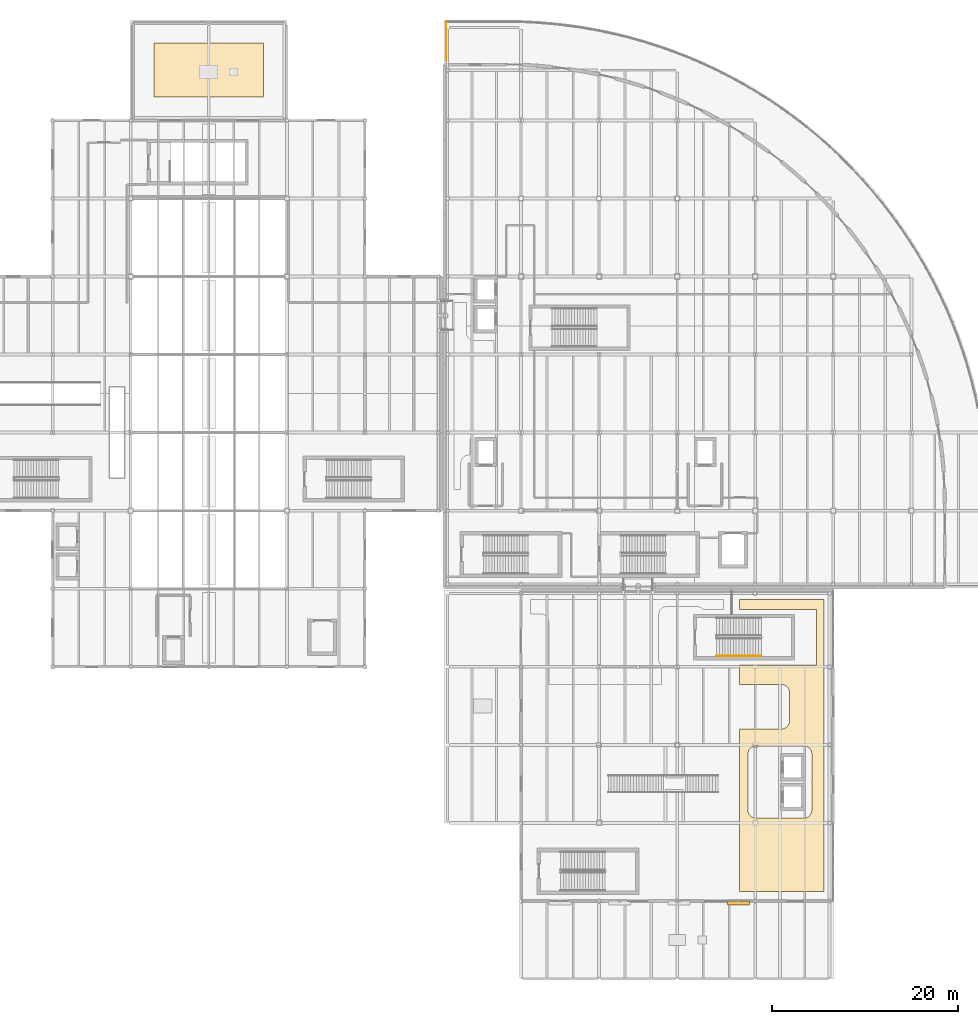
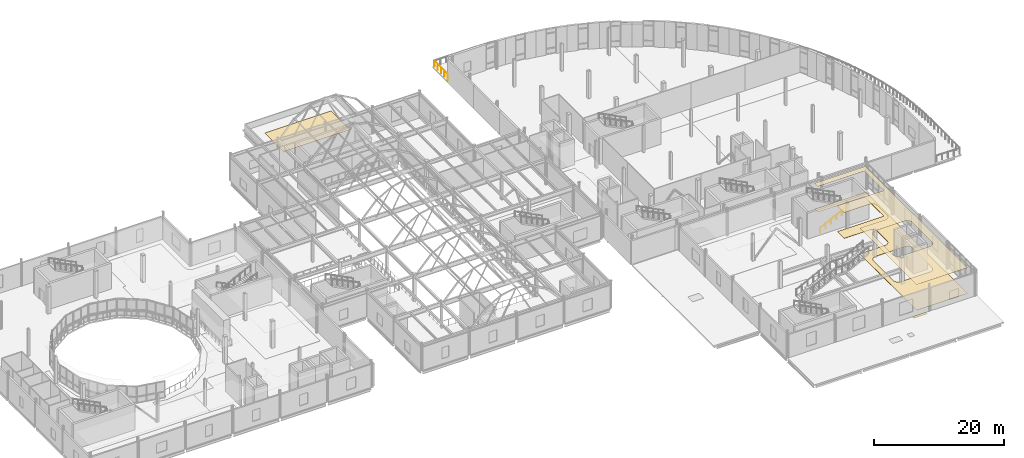
# One storey, part 99 of 103: 3 coverings, 2 railings, 1 shading device.
"""IFC4 building model written with IfcOpenShell, lengths in metres."""

from ifc_helpers import new_model, si_unit, direction, frame, origin, origin_2d, place, context, subcontext, project, spatial, polyline, rectangle, circle, outline, extrude, material, layer, layer_set, type_object, element, save


model = new_model("IFC4")

# Units and contexts
model_context = context("Model", 3, precision=1e-05, world=origin(), true_north=direction((0.0, 1.0)))
body_context = subcontext(model_context, "Body", "Model", "MODEL_VIEW")
ifc_project = project(units=[si_unit("LENGTHUNIT", "METRE"), si_unit("AREAUNIT", "SQUARE_METRE"), si_unit("VOLUMEUNIT", "CUBIC_METRE"), si_unit("PLANEANGLEUNIT", "RADIAN"), si_unit("MASSUNIT", "GRAM", prefix="KILO"), si_unit("THERMODYNAMICTEMPERATUREUNIT", "KELVIN")], contexts=[model_context])

# Site, building, storey
site_placement = place(None, origin())
site = spatial("IfcSite", under=ifc_project, at=site_placement, CompositionType="ELEMENT")
building_placement = place(site_placement, origin())
building = spatial("IfcBuilding", under=site, at=building_placement, Name="Lustrewick Department Store", CompositionType="ELEMENT")
storey_placement = place(building_placement, frame((0.0, 0.0, 16.5)))
storey = spatial("IfcBuildingStorey", under=building, at=storey_placement, Name="L04", CompositionType="ELEMENT", Elevation=16.5)

# Coverings
ifc_material_1 = material(Name="Perforated mineral-fibre acoustic ceiling board", Category="gypsum")
ifc_layer_1 = layer(ifc_material_1, 0.02490234375, Name="Perforated mineral-fibre acoustic ceiling board")
ifc_layer_set_1 = layer_set([ifc_layer_1], Name="Perforated mineral-fibre acoustic ceiling board")
covering_type_1 = type_object("IfcCoveringType", Name="COV-CEIL", PredefinedType="CEILING", material=ifc_layer_set_1)
covering_1_placement = place(storey_placement, frame((0.0, 0.0, 4.820068359375)))
element("IfcCovering", 1, at=covering_1_placement, inside=storey, type_object=covering_type_1, Name="L04 Specialty Dining Restaurant Acoustic Ceiling", PredefinedType="CEILING", context=body_context, shape_type="SweptSolid", body=[
    extrude(outline(polyline([(141.127685546875, 49.22998046875), (141.127685546875, 48.18994140625), (146.702880859375, 48.18994140625), (146.78759765625, 48.185791015625), (146.82666015625, 48.179931640625), (149.3798828125, 48.179931640625), (149.3798828125, 42.219970703125), (146.82666015625, 42.219970703125), (146.78759765625, 42.214111328125), (146.702880859375, 42.2099609375), (141.127685546875, 42.2099609375), (141.127685546875, 40.090087890625), (145.60302734375, 40.090087890625), (145.687744140625, 40.085693359375), (145.771484375, 40.0732421875), (145.77490234375, 40.072509765625), (145.79248046875, 40.06884765625), (145.795654296875, 40.068115234375), (145.87841796875, 40.04541015625), (145.95849609375, 40.0146484375), (145.961181640625, 40.013427734375), (145.963623046875, 40.01220703125), (146.030517578125, 39.97900390625), (146.034423828125, 39.976806640625), (146.095947265625, 39.939208984375), (146.154052734375, 39.896484375), (146.15869140625, 39.892822265625), (146.2294921875, 39.829345703125), (146.29296875, 39.758544921875), (146.29638671875, 39.75390625), (146.339111328125, 39.69580078125), (146.376708984375, 39.634521484375), (146.37890625, 39.630615234375), (146.412109375, 39.563720703125), (146.41455078125, 39.55859375), (146.445556640625, 39.478515625), (146.46826171875, 39.395751953125), (146.468994140625, 39.392578125), (146.47265625, 39.375), (146.473388671875, 39.37158203125), (146.48583984375, 39.28759765625), (146.489990234375, 39.202880859375), (146.489990234375, 36.197021484375), (146.48583984375, 36.1123046875), (146.473388671875, 36.0283203125), (146.47265625, 36.02490234375), (146.468994140625, 36.007568359375), (146.46826171875, 36.00439453125), (146.445556640625, 35.92138671875), (146.41455078125, 35.841552734375), (146.412109375, 35.836181640625), (146.37890625, 35.76953125), (146.376708984375, 35.765625), (146.339111328125, 35.7041015625), (146.29638671875, 35.64599609375), (146.29296875, 35.641357421875), (146.2294921875, 35.570556640625), (146.15869140625, 35.507080078125), (146.154052734375, 35.50341796875), (146.095947265625, 35.4609375), (146.034423828125, 35.42333984375), (146.030517578125, 35.421142578125), (145.963623046875, 35.3876953125), (145.95849609375, 35.385498046875), (145.87841796875, 35.3544921875), (145.795654296875, 35.331787109375), (145.79248046875, 35.3310546875), (145.77490234375, 35.327392578125), (145.771484375, 35.32666015625), (145.687744140625, 35.314208984375), (145.60302734375, 35.31005859375), (141.127685546875, 35.31005859375), (141.127685546875, 17.820068359375), (150.179931640625, 17.820068359375), (150.179931640625, 49.22998046875), (141.127685546875, 49.22998046875)]), holes=[polyline([(142.02734375, 29.574951171875), (142.031005859375, 29.592529296875), (142.03173828125, 29.595703125), (142.032958984375, 29.60009765625), (142.03173828125, 29.604248046875), (142.031005859375, 29.607421875), (142.02734375, 29.625), (142.026611328125, 29.62841796875), (142.01416015625, 29.71240234375), (142.010009765625, 29.797119140625), (142.010009765625, 32.60302734375), (142.01416015625, 32.687744140625), (142.026611328125, 32.771484375), (142.02734375, 32.77490234375), (142.031005859375, 32.79248046875), (142.03173828125, 32.795654296875), (142.054443359375, 32.87841796875), (142.08544921875, 32.95849609375), (142.087890625, 32.963623046875), (142.12109375, 33.030517578125), (142.123291015625, 33.034423828125), (142.160888671875, 33.095947265625), (142.20361328125, 33.154052734375), (142.20703125, 33.15869140625), (142.2705078125, 33.2294921875), (142.34130859375, 33.29296875), (142.345947265625, 33.29638671875), (142.404052734375, 33.339111328125), (142.465576171875, 33.376708984375), (142.469482421875, 33.37890625), (142.536376953125, 33.412109375), (142.54150390625, 33.41455078125), (142.62158203125, 33.445556640625), (142.704345703125, 33.46826171875), (142.70751953125, 33.468994140625), (142.72509765625, 33.47265625), (142.728515625, 33.473388671875), (142.812255859375, 33.48583984375), (142.89697265625, 33.489990234375), (148.0029296875, 33.489990234375), (148.087646484375, 33.48583984375), (148.171630859375, 33.473388671875), (148.175048828125, 33.47265625), (148.1923828125, 33.468994140625), (148.19580078125, 33.46826171875), (148.278564453125, 33.445556640625), (148.3583984375, 33.41455078125), (148.36376953125, 33.412109375), (148.430419921875, 33.37890625), (148.434326171875, 33.376708984375), (148.495849609375, 33.339111328125), (148.553955078125, 33.29638671875), (148.55859375, 33.29296875), (148.62939453125, 33.2294921875), (148.69287109375, 33.15869140625), (148.696533203125, 33.154052734375), (148.739013671875, 33.095947265625), (148.776611328125, 33.034423828125), (148.77880859375, 33.030517578125), (148.812255859375, 32.963623046875), (148.814697265625, 32.95849609375), (148.845458984375, 32.87841796875), (148.8681640625, 32.795654296875), (148.868896484375, 32.79248046875), (148.87255859375, 32.77490234375), (148.873291015625, 32.771484375), (148.8857421875, 32.687744140625), (148.889892578125, 32.60302734375), (148.889892578125, 29.797119140625), (148.8857421875, 29.71240234375), (148.873291015625, 29.62841796875), (148.87255859375, 29.625), (148.868896484375, 29.607421875), (148.8681640625, 29.604248046875), (148.866943359375, 29.60009765625), (148.8681640625, 29.595703125), (148.868896484375, 29.592529296875), (148.87255859375, 29.574951171875), (148.873291015625, 29.571533203125), (148.8857421875, 29.48779296875), (148.889892578125, 29.403076171875), (148.889892578125, 26.596923828125), (148.8857421875, 26.51220703125), (148.873291015625, 26.428466796875), (148.87255859375, 26.425048828125), (148.868896484375, 26.407470703125), (148.8681640625, 26.404296875), (148.845458984375, 26.321533203125), (148.814697265625, 26.241455078125), (148.812255859375, 26.236328125), (148.77880859375, 26.16943359375), (148.776611328125, 26.16552734375), (148.739013671875, 26.10400390625), (148.696533203125, 26.0458984375), (148.69287109375, 26.04150390625), (148.62939453125, 25.970703125), (148.55859375, 25.906982421875), (148.553955078125, 25.903564453125), (148.495849609375, 25.86083984375), (148.434326171875, 25.8232421875), (148.430419921875, 25.821044921875), (148.36376953125, 25.787841796875), (148.3583984375, 25.785400390625), (148.278564453125, 25.75439453125), (148.19580078125, 25.731689453125), (148.1923828125, 25.731201171875), (148.175048828125, 25.727294921875), (148.171630859375, 25.726806640625), (148.087646484375, 25.714111328125), (148.0029296875, 25.7099609375), (142.89697265625, 25.7099609375), (142.812255859375, 25.714111328125), (142.728515625, 25.726806640625), (142.72509765625, 25.727294921875), (142.70751953125, 25.731201171875), (142.704345703125, 25.731689453125), (142.62158203125, 25.75439453125), (142.54150390625, 25.785400390625), (142.536376953125, 25.787841796875), (142.469482421875, 25.821044921875), (142.465576171875, 25.8232421875), (142.404052734375, 25.86083984375), (142.345947265625, 25.903564453125), (142.34130859375, 25.906982421875), (142.2705078125, 25.970703125), (142.20703125, 26.04150390625), (142.20361328125, 26.0458984375), (142.160888671875, 26.10400390625), (142.123291015625, 26.16552734375), (142.12109375, 26.16943359375), (142.087890625, 26.236328125), (142.08544921875, 26.241455078125), (142.054443359375, 26.321533203125), (142.03173828125, 26.404296875), (142.031005859375, 26.407470703125), (142.02734375, 26.425048828125), (142.026611328125, 26.428466796875), (142.01416015625, 26.51220703125), (142.010009765625, 26.596923828125), (142.010009765625, 29.403076171875), (142.01416015625, 29.48779296875), (142.026611328125, 29.571533203125), (142.02734375, 29.574951171875)])]), origin(), (0.0, 0.0, 1.0), 0.02490234375),
])
ifc_material_2 = material(Name="Polished terrazzo and porcelain floor finish", Category="masonry")
ifc_layer_2 = layer(ifc_material_2, 0.02001953125, Name="Polished terrazzo and porcelain floor finish")
ifc_layer_set_2 = layer_set([ifc_layer_2], Name="Polished terrazzo and porcelain floor finish")
covering_type_2 = type_object("IfcCoveringType", Name="COV-FLR", PredefinedType="FLOORING", material=ifc_layer_set_2)
covering_2_placement = place(storey_placement, origin())
element("IfcCovering", 2, at=covering_2_placement, inside=storey, type_object=covering_type_2, Name="L04 Specialty Dining Restaurant Terrazzo Flooring", PredefinedType="FLOORING", context=body_context, shape_type="SweptSolid", body=[
    extrude(outline(polyline([(141.127685546875, 49.22998046875), (141.127685546875, 48.18994140625), (146.702880859375, 48.18994140625), (146.78759765625, 48.185791015625), (146.82666015625, 48.179931640625), (149.3798828125, 48.179931640625), (149.3798828125, 42.219970703125), (146.82666015625, 42.219970703125), (146.78759765625, 42.214111328125), (146.702880859375, 42.2099609375), (141.127685546875, 42.2099609375), (141.127685546875, 40.090087890625), (145.60302734375, 40.090087890625), (145.687744140625, 40.085693359375), (145.771484375, 40.0732421875), (145.77490234375, 40.072509765625), (145.79248046875, 40.06884765625), (145.795654296875, 40.068115234375), (145.87841796875, 40.04541015625), (145.95849609375, 40.0146484375), (145.961181640625, 40.013427734375), (145.963623046875, 40.01220703125), (146.030517578125, 39.97900390625), (146.034423828125, 39.976806640625), (146.095947265625, 39.939208984375), (146.154052734375, 39.896484375), (146.15869140625, 39.892822265625), (146.2294921875, 39.829345703125), (146.29296875, 39.758544921875), (146.29638671875, 39.75390625), (146.339111328125, 39.69580078125), (146.376708984375, 39.634521484375), (146.37890625, 39.630615234375), (146.412109375, 39.563720703125), (146.41455078125, 39.55859375), (146.445556640625, 39.478515625), (146.46826171875, 39.395751953125), (146.468994140625, 39.392578125), (146.47265625, 39.375), (146.473388671875, 39.37158203125), (146.48583984375, 39.28759765625), (146.489990234375, 39.202880859375), (146.489990234375, 36.197021484375), (146.48583984375, 36.1123046875), (146.473388671875, 36.0283203125), (146.47265625, 36.02490234375), (146.468994140625, 36.007568359375), (146.46826171875, 36.00439453125), (146.445556640625, 35.92138671875), (146.41455078125, 35.841552734375), (146.412109375, 35.836181640625), (146.37890625, 35.76953125), (146.376708984375, 35.765625), (146.339111328125, 35.7041015625), (146.29638671875, 35.64599609375), (146.29296875, 35.641357421875), (146.2294921875, 35.570556640625), (146.15869140625, 35.507080078125), (146.154052734375, 35.50341796875), (146.095947265625, 35.4609375), (146.034423828125, 35.42333984375), (146.030517578125, 35.421142578125), (145.963623046875, 35.3876953125), (145.95849609375, 35.385498046875), (145.87841796875, 35.3544921875), (145.795654296875, 35.331787109375), (145.79248046875, 35.3310546875), (145.77490234375, 35.327392578125), (145.771484375, 35.32666015625), (145.687744140625, 35.314208984375), (145.60302734375, 35.31005859375), (141.127685546875, 35.31005859375), (141.127685546875, 17.820068359375), (150.179931640625, 17.820068359375), (150.179931640625, 49.22998046875), (141.127685546875, 49.22998046875)]), holes=[polyline([(142.02734375, 29.574951171875), (142.031005859375, 29.592529296875), (142.03173828125, 29.595703125), (142.032958984375, 29.60009765625), (142.03173828125, 29.604248046875), (142.031005859375, 29.607421875), (142.02734375, 29.625), (142.026611328125, 29.62841796875), (142.01416015625, 29.71240234375), (142.010009765625, 29.797119140625), (142.010009765625, 32.60302734375), (142.01416015625, 32.687744140625), (142.026611328125, 32.771484375), (142.02734375, 32.77490234375), (142.031005859375, 32.79248046875), (142.03173828125, 32.795654296875), (142.054443359375, 32.87841796875), (142.08544921875, 32.95849609375), (142.087890625, 32.963623046875), (142.12109375, 33.030517578125), (142.123291015625, 33.034423828125), (142.160888671875, 33.095947265625), (142.20361328125, 33.154052734375), (142.20703125, 33.15869140625), (142.2705078125, 33.2294921875), (142.34130859375, 33.29296875), (142.345947265625, 33.29638671875), (142.404052734375, 33.339111328125), (142.465576171875, 33.376708984375), (142.469482421875, 33.37890625), (142.536376953125, 33.412109375), (142.54150390625, 33.41455078125), (142.62158203125, 33.445556640625), (142.704345703125, 33.46826171875), (142.70751953125, 33.468994140625), (142.72509765625, 33.47265625), (142.728515625, 33.473388671875), (142.812255859375, 33.48583984375), (142.89697265625, 33.489990234375), (148.0029296875, 33.489990234375), (148.087646484375, 33.48583984375), (148.171630859375, 33.473388671875), (148.175048828125, 33.47265625), (148.1923828125, 33.468994140625), (148.19580078125, 33.46826171875), (148.278564453125, 33.445556640625), (148.3583984375, 33.41455078125), (148.36376953125, 33.412109375), (148.430419921875, 33.37890625), (148.434326171875, 33.376708984375), (148.495849609375, 33.339111328125), (148.553955078125, 33.29638671875), (148.55859375, 33.29296875), (148.62939453125, 33.2294921875), (148.69287109375, 33.15869140625), (148.696533203125, 33.154052734375), (148.739013671875, 33.095947265625), (148.776611328125, 33.034423828125), (148.77880859375, 33.030517578125), (148.812255859375, 32.963623046875), (148.814697265625, 32.95849609375), (148.845458984375, 32.87841796875), (148.8681640625, 32.795654296875), (148.868896484375, 32.79248046875), (148.87255859375, 32.77490234375), (148.873291015625, 32.771484375), (148.8857421875, 32.687744140625), (148.889892578125, 32.60302734375), (148.889892578125, 29.797119140625), (148.8857421875, 29.71240234375), (148.873291015625, 29.62841796875), (148.87255859375, 29.625), (148.868896484375, 29.607421875), (148.8681640625, 29.604248046875), (148.866943359375, 29.60009765625), (148.8681640625, 29.595703125), (148.868896484375, 29.592529296875), (148.87255859375, 29.574951171875), (148.873291015625, 29.571533203125), (148.8857421875, 29.48779296875), (148.889892578125, 29.403076171875), (148.889892578125, 26.596923828125), (148.8857421875, 26.51220703125), (148.873291015625, 26.428466796875), (148.87255859375, 26.425048828125), (148.868896484375, 26.407470703125), (148.8681640625, 26.404296875), (148.845458984375, 26.321533203125), (148.814697265625, 26.241455078125), (148.812255859375, 26.236328125), (148.77880859375, 26.16943359375), (148.776611328125, 26.16552734375), (148.739013671875, 26.10400390625), (148.696533203125, 26.0458984375), (148.69287109375, 26.04150390625), (148.62939453125, 25.970703125), (148.55859375, 25.906982421875), (148.553955078125, 25.903564453125), (148.495849609375, 25.86083984375), (148.434326171875, 25.8232421875), (148.430419921875, 25.821044921875), (148.36376953125, 25.787841796875), (148.3583984375, 25.785400390625), (148.278564453125, 25.75439453125), (148.19580078125, 25.731689453125), (148.1923828125, 25.731201171875), (148.175048828125, 25.727294921875), (148.171630859375, 25.726806640625), (148.087646484375, 25.714111328125), (148.0029296875, 25.7099609375), (142.89697265625, 25.7099609375), (142.812255859375, 25.714111328125), (142.728515625, 25.726806640625), (142.72509765625, 25.727294921875), (142.70751953125, 25.731201171875), (142.704345703125, 25.731689453125), (142.62158203125, 25.75439453125), (142.54150390625, 25.785400390625), (142.536376953125, 25.787841796875), (142.469482421875, 25.821044921875), (142.465576171875, 25.8232421875), (142.404052734375, 25.86083984375), (142.345947265625, 25.903564453125), (142.34130859375, 25.906982421875), (142.2705078125, 25.970703125), (142.20703125, 26.04150390625), (142.20361328125, 26.0458984375), (142.160888671875, 26.10400390625), (142.123291015625, 26.16552734375), (142.12109375, 26.16943359375), (142.087890625, 26.236328125), (142.08544921875, 26.241455078125), (142.054443359375, 26.321533203125), (142.03173828125, 26.404296875), (142.031005859375, 26.407470703125), (142.02734375, 26.425048828125), (142.026611328125, 26.428466796875), (142.01416015625, 26.51220703125), (142.010009765625, 26.596923828125), (142.010009765625, 29.403076171875), (142.01416015625, 29.48779296875), (142.026611328125, 29.571533203125), (142.02734375, 29.574951171875)])]), origin(), (0.0, 0.0, 1.0), 0.02001953125),
])
ifc_material_3 = material(Name="Single-ply TPO insulated roofing membrane", Category="plastic")
ifc_layer_3 = layer(ifc_material_3, 0.034912109375, Name="Single-ply TPO insulated roofing membrane")
ifc_layer_set_3 = layer_set([ifc_layer_3], Name="Single-ply TPO insulated roofing membrane")
covering_type_3 = type_object("IfcCoveringType", Name="COV-ROOF", PredefinedType="ROOFING", material=ifc_layer_set_3)
covering_3_placement = place(storey_placement, origin())
element("IfcCovering", 3, at=covering_3_placement, inside=storey, type_object=covering_type_3, Name="L04 TPO Roof Membrane 05", PredefinedType="ROOFING", context=body_context, shape_type="SweptSolid", body=[
    extrude(outline(polyline([(89.89990234375, 109.10009765625), (78.10009765625, 109.10009765625), (78.10009765625, 103.300048828125), (89.89990234375, 103.300048828125), (89.89990234375, 109.10009765625)])), origin(), (0.0, 0.0, 1.0), 0.034912109375),
])

# Railings
ifc_material_4 = material(Name="Laminated glass and anodized aluminium guardrail", Category="aluminium")
railing_type_1 = type_object("IfcRailingType", Name="RL-EXT", PredefinedType="GUARDRAIL", material=ifc_material_4)
railing_1_placement = place(storey_placement, frame((109.550048828125, 107.25, 0.0)))
element("IfcRailing", 4, at=railing_1_placement, inside=storey, type_object=railing_type_1, Name="L04 Terrace Perimeter Guardrail 0013", PredefinedType="GUARDRAIL", context=body_context, shape_type="SweptSolid", body=[
    extrude(circle(Radius=0.02392578125, at=origin_2d()), frame((0.0, 0.0, 1.17578125), z_axis=(0.0, 1.0, 0.0), x_axis=(-1.0, 0.0, 0.0)), (0.0, 0.0, 1.0), 4.14990234375),
    extrude(circle(Radius=0.02099609375, at=origin_2d()), origin(), (0.0, 0.0, 1.0), 1.15185546875),
    extrude(circle(Radius=0.02099609375, at=origin_2d()), frame((0.0, 1.03759765625, 0.0)), (0.0, 0.0, 1.0), 1.15185546875),
    extrude(circle(Radius=0.02099609375, at=origin_2d()), frame((0.0, 2.074951171875, 0.0)), (0.0, 0.0, 1.0), 1.15185546875),
    extrude(circle(Radius=0.02099609375, at=origin_2d()), frame((0.0, 3.1123046875, 0.0)), (0.0, 0.0, 1.0), 1.15185546875),
    extrude(circle(Radius=0.02099609375, at=origin_2d()), frame((0.0, 4.14990234375, 0.0)), (0.0, 0.0, 1.0), 1.15185546875),
])
ifc_material_5 = material(Name="Brushed stainless steel wall handrail", Category="steel")
railing_type_2 = type_object("IfcRailingType", Name="RL-STH", PredefinedType="HANDRAIL", material=ifc_material_5)
railing_2_placement = place(storey_placement, frame((138.64990234375, 43.14990234375, 0.14990234375)))
element("IfcRailing", 5, at=railing_2_placement, inside=storey, type_object=railing_type_2, Name="L04 ST08 Stair Handrail 1", PredefinedType="HANDRAIL", context=body_context, shape_type="SweptSolid", body=[
    extrude(circle(Radius=0.02392578125, at=origin_2d()), frame((0.0, 0.0, 0.8759765625), z_axis=(0.894418092416, 0.0, 0.447231792205), x_axis=(0.0, 1.0, 0.0)), (0.0, 0.0, 1.0), 5.36669921875),
    extrude(circle(Radius=0.02099609375, at=origin_2d()), origin(), (0.0, 0.0, 1.0), 0.851806640625),
    extrude(circle(Radius=0.02099609375, at=origin_2d()), frame((0.9599609375, 0.0, 0.47998046875)), (0.0, 0.0, 1.0), 0.851806640625),
    extrude(circle(Radius=0.02099609375, at=origin_2d()), frame((1.919921875, 0.0, 0.9599609375)), (0.0, 0.0, 1.0), 0.851806640625),
    extrude(circle(Radius=0.02099609375, at=origin_2d()), frame((2.880126953125, 0.0, 1.440185546875)), (0.0, 0.0, 1.0), 0.851806640625),
    extrude(circle(Radius=0.02099609375, at=origin_2d()), frame((3.840087890625, 0.0, 1.920166015625)), (0.0, 0.0, 1.0), 0.851806640625),
    extrude(circle(Radius=0.02099609375, at=origin_2d()), frame((4.800048828125, 0.0, 2.400146484375)), (0.0, 0.0, 1.0), 0.851806640625),
])

# Shading device
ifc_material_6 = material(Name="Perforated white powder-coated aluminium 3003-H24", Category="aluminium")
shading_device_type = type_object("IfcShadingDeviceType", Name="SHD-LOUV", PredefinedType="USERDEFINED", material=ifc_material_6)
shading_device_placement = place(storey_placement, frame((141.0, 16.60009765625, -0.16015625), z_axis=(0.0, 0.0, 1.0), x_axis=(1.0, 0.0, 0.0)))
element("IfcShadingDevice", 6, at=shading_device_placement, inside=storey, type_object=shading_device_type, Name="L04 External Sun Louvre 12", ObjectType="LOUVRE", PredefinedType="USERDEFINED", context=body_context, shape_type="SweptSolid", body=[
    extrude(rectangle(XDim=2.39990234375, YDim=0.449951171875, at=origin_2d()), origin(), (0.0, 0.0, 1.0), 0.080078125),
])

save(model, "model.ifc")
